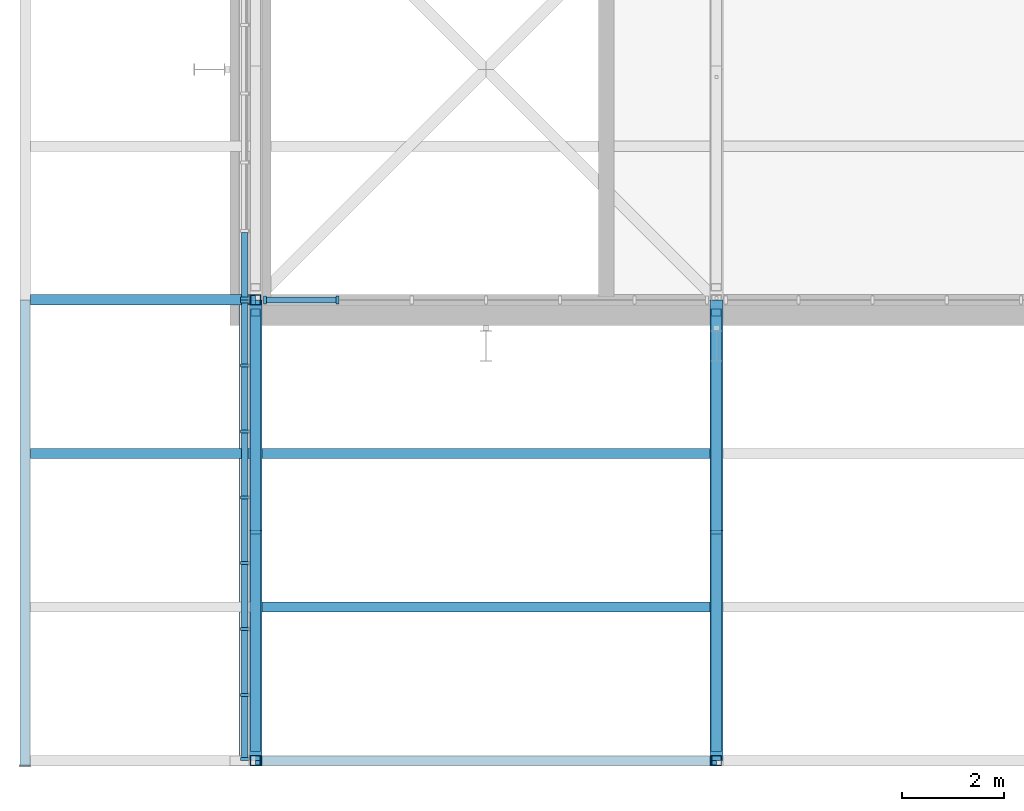
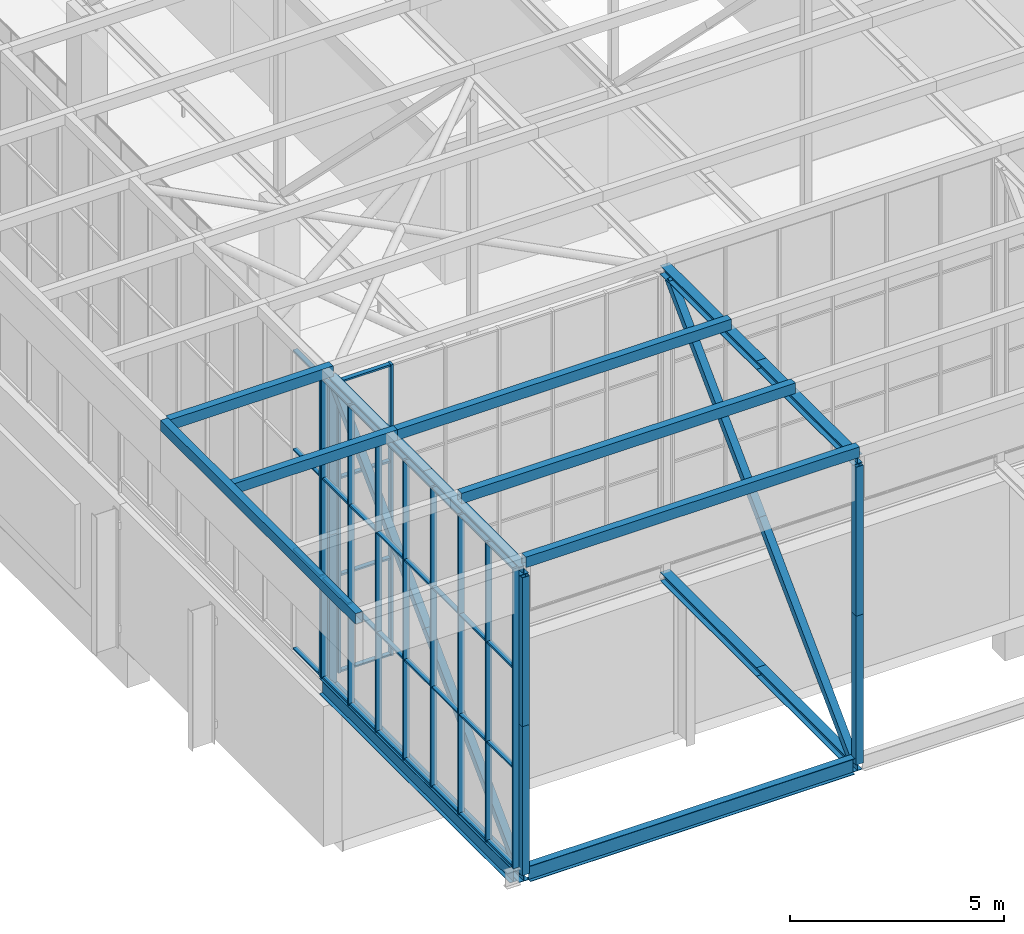
# One storey, part 8 of 646: 71 members, 2 beams, 3 elements without a shape of their own.
"""IFC4 building model written with IfcOpenShell, lengths in metres."""

from ifc_helpers import new_model, si_unit, direction, frame, origin, origin_2d, place, context, subcontext, project, spatial, rectangle, hollow_rectangle, i_section, extrude, material, material_profile, profile_set, type_object, element, aggregate, save


model = new_model("IFC4")

# Units and contexts
model_context = context("Model", 3, precision=1e-05, world=origin(), true_north=direction((0.0, 1.0)))
body_context = subcontext(model_context, "Body", "Model", "MODEL_VIEW")
ifc_project = project(units=[si_unit("LENGTHUNIT", "METRE"), si_unit("AREAUNIT", "SQUARE_METRE"), si_unit("VOLUMEUNIT", "CUBIC_METRE"), si_unit("PLANEANGLEUNIT", "RADIAN"), si_unit("MASSUNIT", "GRAM", prefix="KILO")], contexts=[model_context])

# Site, building, storey
site_placement = place(None, origin())
site = spatial("IfcSite", under=ifc_project, at=site_placement, CompositionType="ELEMENT")
building_placement = place(site_placement, origin())
building = spatial("IfcBuilding", under=site, at=building_placement, Name="Silverbay Arena", CompositionType="ELEMENT")
storey_placement = place(building_placement, frame((0.0, 0.0, 33.5)))
storey = spatial("IfcBuildingStorey", under=building, at=storey_placement, Name="L05", CompositionType="ELEMENT", Elevation=33.5)

# Curtain wall, members
ifc_material_1 = material(Name="Aluminium framed glazing", Category="aluminium")
curtain_wall_type_1 = type_object("IfcCurtainWallType", Name="Curtain wall clerestory 8693 x 8303", PredefinedType="NOTDEFINED", material=ifc_material_1)
curtain_wall_1_placement = place(storey_placement, origin())
curtain_wall_1 = element("IfcCurtainWall", 1, at=curtain_wall_1_placement, inside=storey, type_object=curtain_wall_type_1, Name="ROOF CLERESTORY CURTAIN WALL south bay 01", PredefinedType="NOTDEFINED")
ifc_material_2 = material(Name="Aluminium", Category="aluminium")
ifc_material_profile_1 = material_profile(ifc_material_2, rectangle(XDim=0.159912109375, YDim=0.06005859375, at=origin_2d()), Name="Mullion 60 x 160")
ifc_profile_set_1 = profile_set([ifc_material_profile_1], Name="Aluminium")
member_type_1 = type_object("IfcMemberType", Name="Mullion 60 x 160", PredefinedType="MULLION", material=ifc_profile_set_1)
member_1_placement = place(storey_placement, frame((54.18359375, 18.0, 4.4599609375), z_axis=(0.0, 0.0, 1.0), x_axis=(0.0, 1.0, 0.0)))
member_1 = element("IfcMember", 2, at=member_1_placement, type_object=member_type_1, Name="CW54 mullion 1", PredefinedType="MULLION", context=body_context, shape_type="SweptSolid", body=[
    extrude(rectangle(XDim=0.159912109375, YDim=0.06005859375, at=origin_2d()), origin(), (0.0, 0.0, 1.0), 8.303466796875),
])
member_2_placement = place(storey_placement, frame((55.6025390625, 18.0, 4.4599609375), z_axis=(0.0, 0.0, 1.0), x_axis=(0.0, 1.0, 0.0)))
member_2 = element("IfcMember", 3, at=member_2_placement, type_object=member_type_1, Name="CW54 mullion 2", PredefinedType="MULLION", context=body_context, shape_type="SweptSolid", body=[
    extrude(rectangle(XDim=0.159912109375, YDim=0.06005859375, at=origin_2d()), origin(), (0.0, 0.0, 1.0), 8.303466796875),
])

ifc_material_3 = material(Name="Aluminium framed glazing", Category="aluminium")
curtain_wall_type_2 = type_object("IfcCurtainWallType", Name="Curtain wall clerestory 9000 x 8547", PredefinedType="NOTDEFINED", material=ifc_material_3)
curtain_wall_2_placement = place(storey_placement, origin())
curtain_wall_2 = element("IfcCurtainWall", 4, at=curtain_wall_2_placement, inside=storey, type_object=curtain_wall_type_2, Name="ROOF GABLE CLERESTORY CURTAIN WALL west bay 01", PredefinedType="NOTDEFINED")
member_3_placement = place(storey_placement, frame((53.7900390625, 9.030029296875, 4.453369140625), z_axis=(0.0, 0.0, 1.0), x_axis=(-1.0, 0.0, 0.0)))
member_3 = element("IfcMember", 5, at=member_3_placement, type_object=member_type_1, Name="CW57 mullion 1", PredefinedType="MULLION", context=body_context, shape_type="SweptSolid", body=[
    extrude(rectangle(XDim=0.159912109375, YDim=0.06005859375, at=origin_2d()), origin(), (0.0, 0.0, 1.0), 8.546630859375),
])
member_4_placement = place(storey_placement, frame((53.7900390625, 10.28564453125, 4.453369140625), z_axis=(0.0, 0.0, 1.0), x_axis=(-1.0, 0.0, 0.0)))
member_4 = element("IfcMember", 6, at=member_4_placement, type_object=member_type_1, Name="CW57 mullion 2", PredefinedType="MULLION", context=body_context, shape_type="SweptSolid", body=[
    extrude(rectangle(XDim=0.159912109375, YDim=0.06005859375, at=origin_2d()), origin(), (0.0, 0.0, 1.0), 8.546630859375),
])
member_5_placement = place(storey_placement, frame((53.7900390625, 11.571533203125, 4.453369140625), z_axis=(0.0, 0.0, 1.0), x_axis=(-1.0, 0.0, 0.0)))
member_5 = element("IfcMember", 7, at=member_5_placement, type_object=member_type_1, Name="CW57 mullion 3", PredefinedType="MULLION", context=body_context, shape_type="SweptSolid", body=[
    extrude(rectangle(XDim=0.159912109375, YDim=0.06005859375, at=origin_2d()), origin(), (0.0, 0.0, 1.0), 8.546630859375),
])
member_6_placement = place(storey_placement, frame((53.7900390625, 12.857177734375, 4.453369140625), z_axis=(0.0, 0.0, 1.0), x_axis=(-1.0, 0.0, 0.0)))
member_6 = element("IfcMember", 8, at=member_6_placement, type_object=member_type_1, Name="CW57 mullion 4", PredefinedType="MULLION", context=body_context, shape_type="SweptSolid", body=[
    extrude(rectangle(XDim=0.159912109375, YDim=0.06005859375, at=origin_2d()), origin(), (0.0, 0.0, 1.0), 8.546630859375),
])
member_7_placement = place(storey_placement, frame((53.7900390625, 14.142822265625, 4.453369140625), z_axis=(0.0, 0.0, 1.0), x_axis=(-1.0, 0.0, 0.0)))
member_7 = element("IfcMember", 9, at=member_7_placement, type_object=member_type_1, Name="CW57 mullion 5", PredefinedType="MULLION", context=body_context, shape_type="SweptSolid", body=[
    extrude(rectangle(XDim=0.159912109375, YDim=0.06005859375, at=origin_2d()), origin(), (0.0, 0.0, 1.0), 8.546630859375),
])
member_8_placement = place(storey_placement, frame((53.7900390625, 15.428466796875, 4.453369140625), z_axis=(0.0, 0.0, 1.0), x_axis=(-1.0, 0.0, 0.0)))
member_8 = element("IfcMember", 10, at=member_8_placement, type_object=member_type_1, Name="CW57 mullion 6", PredefinedType="MULLION", context=body_context, shape_type="SweptSolid", body=[
    extrude(rectangle(XDim=0.159912109375, YDim=0.06005859375, at=origin_2d()), origin(), (0.0, 0.0, 1.0), 8.546630859375),
])
member_9_placement = place(storey_placement, frame((53.7900390625, 16.71435546875, 4.453369140625), z_axis=(0.0, 0.0, 1.0), x_axis=(-1.0, 0.0, 0.0)))
member_9 = element("IfcMember", 11, at=member_9_placement, type_object=member_type_1, Name="CW57 mullion 7", PredefinedType="MULLION", context=body_context, shape_type="SweptSolid", body=[
    extrude(rectangle(XDim=0.159912109375, YDim=0.06005859375, at=origin_2d()), origin(), (0.0, 0.0, 1.0), 8.546630859375),
])
member_10_placement = place(storey_placement, frame((53.7900390625, 17.969970703125, 4.453369140625), z_axis=(0.0, 0.0, 1.0), x_axis=(-1.0, 0.0, 0.0)))
member_10 = element("IfcMember", 12, at=member_10_placement, type_object=member_type_1, Name="CW57 mullion 8", PredefinedType="MULLION", context=body_context, shape_type="SweptSolid", body=[
    extrude(rectangle(XDim=0.159912109375, YDim=0.06005859375, at=origin_2d()), origin(), (0.0, 0.0, 1.0), 8.546630859375),
])

# Curtain wall, member
ifc_material_4 = material(Name="Aluminium framed glazing", Category="aluminium")
curtain_wall_type_3 = type_object("IfcCurtainWallType", Name="Curtain wall clerestory 9400 x 8547", PredefinedType="NOTDEFINED", material=ifc_material_4)
curtain_wall_3_placement = place(storey_placement, origin())
curtain_wall_3 = element("IfcCurtainWall", 13, at=curtain_wall_3_placement, inside=storey, type_object=curtain_wall_type_3, Name="ROOF GABLE CLERESTORY CURTAIN WALL west bay 02", PredefinedType="NOTDEFINED")
member_11_placement = place(storey_placement, frame((53.7900390625, 18.030029296875, 4.453369140625), z_axis=(0.0, 0.0, 1.0), x_axis=(-1.0, 0.0, 0.0)))
member_11 = element("IfcMember", 14, at=member_11_placement, type_object=member_type_1, Name="CW58 mullion 1", PredefinedType="MULLION", context=body_context, shape_type="SweptSolid", body=[
    extrude(rectangle(XDim=0.159912109375, YDim=0.06005859375, at=origin_2d()), origin(), (0.0, 0.0, 1.0), 8.546630859375),
])

# Members
ifc_material_5 = material(Name="Steel S355", Category="steel")
ifc_material_profile_2 = material_profile(ifc_material_5, hollow_rectangle(XDim=0.199951171875, YDim=0.300048828125, WallThickness=0.008056640625, at=origin_2d()), Name="RHS 300x200x8")
ifc_profile_set_2 = profile_set([ifc_material_profile_2], Name="Steel S355")
member_type_2 = type_object("IfcMemberType", Name="Purlin RHS 300x200x8", PredefinedType="PURLIN", material=ifc_profile_set_2)
for number, where, z_axis, x_axis, name in (
    (15, (54.0, 9.0, 13.14990234375), (1.0, 0.0, 0.0), (0.0, 1.0, 0.0), "ROOF PURLIN 7-8 line 01"),
    (16, (54.0, 12.0, 13.14990234375), (1.0, 0.0, 0.0), (0.0, 1.0, 0.0), "ROOF PURLIN 7-8 line 02"),
    (17, (54.0, 15.0, 13.14990234375), (1.0, 0.0, 0.0), (0.0, 1.0, 0.0), "ROOF PURLIN 7-8 line 03"),
):
    element("IfcMember", number, at=place(storey_placement, frame(where, z_axis=z_axis, x_axis=x_axis)), inside=storey, type_object=member_type_2, Name=name, PredefinedType="PURLIN", context=body_context, shape_type="SweptSolid", body=[
        extrude(hollow_rectangle(XDim=0.199951171875, YDim=0.300048828125, WallThickness=0.008056640625, at=origin_2d()), origin(), (0.0, 0.0, 1.0), 9.0),
    ])
for number, where, z_axis, x_axis, name in (
    (18, (49.60009765625, 15.0, 13.14990234375), (1.0, 0.0, 0.0), (0.0, 1.0, 0.0), "ROOF PURLIN west eave line 03"),
    (19, (49.60009765625, 18.0, 13.14990234375), (1.0, 0.0, 0.0), (0.0, 1.0, 0.0), "ROOF PURLIN west eave line 04"),
):
    element("IfcMember", number, at=place(storey_placement, frame(where, z_axis=z_axis, x_axis=x_axis)), inside=storey, type_object=member_type_2, Name=name, PredefinedType="PURLIN", context=body_context, shape_type="SweptSolid", body=[
        extrude(hollow_rectangle(XDim=0.199951171875, YDim=0.300048828125, WallThickness=0.008056640625, at=origin_2d()), origin(), (0.0, 0.0, 1.0), 4.39990234375),
    ])
member_12_placement = place(storey_placement, frame((49.5, 8.89990234375, 13.14990234375), z_axis=(0.0, 1.0, 0.0), x_axis=(-1.0, 0.0, 0.0)))
element("IfcMember", 20, at=member_12_placement, inside=storey, type_object=member_type_2, Name="ROOF PURLIN west eave edge 01", PredefinedType="PURLIN", context=body_context, shape_type="SweptSolid", body=[
    extrude(hollow_rectangle(XDim=0.199951171875, YDim=0.300048828125, WallThickness=0.008056640625, at=origin_2d()), origin(), (0.0, 0.0, 1.0), 9.10009765625),
])

# Beams
ifc_material_6 = material(Name="Steel S355", Category="steel")
ifc_material_profile_3 = material_profile(ifc_material_6, i_section(OverallWidth=0.18994140625, OverallDepth=0.453369140625, WebThickness=0.008544921875, FlangeThickness=0.0126953125, at=origin_2d()), Name="UB 457x191x67")
ifc_profile_set_3 = profile_set([ifc_material_profile_3], Name="Steel S355")
beam_type = type_object("IfcBeamType", Name="Ring beam UB 457x191x67", PredefinedType="BEAM", material=ifc_profile_set_3)
beam_1_placement = place(storey_placement, frame((54.127197265625, 9.0, 4.226806640625), z_axis=(1.0, 0.0, 0.0), x_axis=(0.0, 1.0, 0.0)))
element("IfcBeam", 21, at=beam_1_placement, inside=storey, type_object=beam_type, Name="RING BEAM south edge 7-8", PredefinedType="BEAM", context=body_context, shape_type="SweptSolid", body=[
    extrude(i_section(OverallWidth=0.18994140625, OverallDepth=0.453369140625, WebThickness=0.008544921875, FlangeThickness=0.0126953125, at=origin_2d()), origin(), (0.0, 0.0, 1.0), 8.74560546875),
])
beam_2_placement = place(storey_placement, frame((53.775146484375, 9.094970703125, 4.226806640625), z_axis=(0.0, 1.0, 0.0), x_axis=(-1.0, 0.0, 0.0)))
element("IfcBeam", 22, at=beam_2_placement, inside=storey, type_object=beam_type, Name="RING BEAM west gable panel 01", PredefinedType="BEAM", context=body_context, shape_type="SweptSolid", body=[
    extrude(i_section(OverallWidth=0.18994140625, OverallDepth=0.453369140625, WebThickness=0.008544921875, FlangeThickness=0.0126953125, at=origin_2d()), origin(), (0.0, 0.0, 1.0), 8.905029296875),
])

# Members
ifc_material_7 = material(Name="Steel S355", Category="steel")
ifc_material_profile_4 = material_profile(ifc_material_7, i_section(OverallWidth=0.254638671875, OverallDepth=0.254150390625, WebThickness=0.008544921875, FlangeThickness=0.01416015625, at=origin_2d()), Name="UC 254x254x73")
ifc_profile_set_4 = profile_set([ifc_material_profile_4], Name="Steel S355")
member_type_3 = type_object("IfcMemberType", Name="Short-span bottom chord UC 254x254x73", PredefinedType="CHORD", material=ifc_profile_set_4)
for number, where, z_axis, x_axis, name in (
    (23, (54.0, 9.0, 4.126953125), (0.0, 1.0, 0.0), (-1.0, 0.0, 0.0), "ROOF TRUSS 7 bottom chord 01a"),
    (24, (54.0, 13.5, 4.126953125), (0.0, 1.0, 0.0), (-1.0, 0.0, 0.0), "ROOF TRUSS 7 bottom chord 01b"),
    (25, (63.0, 9.0, 4.126953125), (0.0, 1.0, 0.0), (-1.0, 0.0, 0.0), "ROOF TRUSS 8 bottom chord 01a"),
    (26, (63.0, 13.5, 4.126953125), (0.0, 1.0, 0.0), (-1.0, 0.0, 0.0), "ROOF TRUSS 8 bottom chord 01b"),
):
    element("IfcMember", number, at=place(storey_placement, frame(where, z_axis=z_axis, x_axis=x_axis)), inside=storey, type_object=member_type_3, Name=name, PredefinedType="CHORD", context=body_context, shape_type="SweptSolid", body=[
        extrude(i_section(OverallWidth=0.254638671875, OverallDepth=0.254150390625, WebThickness=0.008544921875, FlangeThickness=0.01416015625, at=origin_2d()), origin(), (0.0, 0.0, 1.0), 4.5),
    ])
ifc_material_8 = material(Name="Steel S355", Category="steel")
ifc_material_profile_5 = material_profile(ifc_material_8, i_section(OverallWidth=0.254638671875, OverallDepth=0.254150390625, WebThickness=0.008544921875, FlangeThickness=0.01416015625, at=origin_2d()), Name="UC 254x254x73")
ifc_profile_set_5 = profile_set([ifc_material_profile_5], Name="Steel S355")
member_type_4 = type_object("IfcMemberType", Name="Short-span top chord UC 254x254x73", PredefinedType="CHORD", material=ifc_profile_set_5)
for number, where, z_axis, x_axis, name in (
    (27, (54.0, 9.0, 12.873046875), (0.0, 1.0, 0.0), (-1.0, 0.0, 0.0), "ROOF TRUSS 7 top chord 01a"),
    (28, (54.0, 13.5, 12.873046875), (0.0, 1.0, 0.0), (-1.0, 0.0, 0.0), "ROOF TRUSS 7 top chord 01b"),
    (29, (63.0, 9.0, 12.873046875), (0.0, 1.0, 0.0), (-1.0, 0.0, 0.0), "ROOF TRUSS 8 top chord 01a"),
    (30, (63.0, 13.5, 12.873046875), (0.0, 1.0, 0.0), (-1.0, 0.0, 0.0), "ROOF TRUSS 8 top chord 01b"),
):
    element("IfcMember", number, at=place(storey_placement, frame(where, z_axis=z_axis, x_axis=x_axis)), inside=storey, type_object=member_type_4, Name=name, PredefinedType="CHORD", context=body_context, shape_type="SweptSolid", body=[
        extrude(i_section(OverallWidth=0.254638671875, OverallDepth=0.254150390625, WebThickness=0.008544921875, FlangeThickness=0.01416015625, at=origin_2d()), origin(), (0.0, 0.0, 1.0), 4.5),
    ])
ifc_material_9 = material(Name="Steel S355", Category="steel")
ifc_material_profile_6 = material_profile(ifc_material_9, hollow_rectangle(XDim=0.199951171875, YDim=0.199951171875, WallThickness=0.008056640625, at=origin_2d()), Name="SHS 200x200x8")
ifc_profile_set_6 = profile_set([ifc_material_profile_6], Name="Steel S355")
member_type_5 = type_object("IfcMemberType", Name="Short-span truss diagonal SHS 200x200x8", PredefinedType="BRACE", material=ifc_profile_set_6)
for number, where, z_axis, x_axis, name in (
    (31, (54.0, 17.75439453125, 12.745849609375), (0.0, -0.70781724692, -0.706395600894), (1.0, 0.0, 0.0), "ROOF TRUSS 7 diagonal 01a"),
    (32, (54.0, 13.5, 8.5), (0.0, -0.70781724692, -0.706395600894), (1.0, 0.0, 0.0), "ROOF TRUSS 7 diagonal 01b"),
    (33, (63.0, 17.75439453125, 12.745849609375), (0.0, -0.70781724692, -0.706395600894), (1.0, 0.0, 0.0), "ROOF TRUSS 8 diagonal 01a"),
    (34, (63.0, 13.5, 8.5), (0.0, -0.70781724692, -0.706395600894), (1.0, 0.0, 0.0), "ROOF TRUSS 8 diagonal 01b"),
):
    element("IfcMember", number, at=place(storey_placement, frame(where, z_axis=z_axis, x_axis=x_axis)), inside=storey, type_object=member_type_5, Name=name, PredefinedType="BRACE", context=body_context, shape_type="SweptSolid", body=[
        extrude(hollow_rectangle(XDim=0.199951171875, YDim=0.199951171875, WallThickness=0.008056640625, at=origin_2d()), origin(), (0.0, 0.0, 1.0), 6.010498046875),
    ])
ifc_material_10 = material(Name="Steel S355", Category="steel")
ifc_material_profile_7 = material_profile(ifc_material_10, hollow_rectangle(XDim=0.199951171875, YDim=0.199951171875, WallThickness=0.008056640625, at=origin_2d()), Name="SHS 200x200x8")
ifc_profile_set_7 = profile_set([ifc_material_profile_7], Name="Steel S355")
member_type_6 = type_object("IfcMemberType", Name="Short-span truss vertical SHS 200x200x8", PredefinedType="STRUT", material=ifc_profile_set_7)
for number, where, z_axis, x_axis, name in (
    (35, (54.0, 9.0, 4.254150390625), (0.0, 0.0, 1.0), (1.0, 0.0, 0.0), "ROOF TRUSS 7 vertical 01a"),
    (36, (54.0, 9.0, 8.5), (0.0, 0.0, 1.0), (1.0, 0.0, 0.0), "ROOF TRUSS 7 vertical 01b"),
    (37, (54.0, 18.0, 4.254150390625), (0.0, 0.0, 1.0), (1.0, 0.0, 0.0), "ROOF TRUSS 7 vertical 02a"),
    (38, (54.0, 18.0, 8.5), (0.0, 0.0, 1.0), (1.0, 0.0, 0.0), "ROOF TRUSS 7 vertical 02b"),
    (39, (63.0, 9.0, 4.254150390625), (0.0, 0.0, 1.0), (1.0, 0.0, 0.0), "ROOF TRUSS 8 vertical 01a"),
    (40, (63.0, 9.0, 8.5), (0.0, 0.0, 1.0), (1.0, 0.0, 0.0), "ROOF TRUSS 8 vertical 01b"),
):
    element("IfcMember", number, at=place(storey_placement, frame(where, z_axis=z_axis, x_axis=x_axis)), inside=storey, type_object=member_type_6, Name=name, PredefinedType="STRUT", context=body_context, shape_type="SweptSolid", body=[
        extrude(hollow_rectangle(XDim=0.199951171875, YDim=0.199951171875, WallThickness=0.008056640625, at=origin_2d()), origin(), (0.0, 0.0, 1.0), 4.245849609375),
    ])

# Member
ifc_material_11 = material(Name="Aluminium", Category="aluminium")
ifc_material_profile_8 = material_profile(ifc_material_11, rectangle(XDim=0.1201171875, YDim=0.050048828125, at=origin_2d()), Name="Transom 50 x 120")
ifc_profile_set_8 = profile_set([ifc_material_profile_8], Name="Aluminium")
member_type_7 = type_object("IfcMemberType", Name="Transom 50 x 120", PredefinedType="USERDEFINED", material=ifc_profile_set_8)
member_13_placement = place(storey_placement, frame((54.213623046875, 18.0, 4.485107421875), z_axis=(1.0, 0.0, 0.0), x_axis=(0.0, 1.0, 0.0)))
member_13 = element("IfcMember", 41, at=member_13_placement, type_object=member_type_7, Name="CW54 transom 1.1", ObjectType="TRANSOM", PredefinedType="USERDEFINED", context=body_context, shape_type="SweptSolid", body=[
    extrude(rectangle(XDim=0.1201171875, YDim=0.050048828125, at=origin_2d()), origin(), (0.0, 0.0, 1.0), 1.35888671875),
])

member_14_placement = place(storey_placement, frame((54.213623046875, 18.0, 7.227783203125), z_axis=(1.0, 0.0, 0.0), x_axis=(0.0, 1.0, 0.0)))
member_14 = element("IfcMember", 42, at=member_14_placement, type_object=member_type_7, Name="CW54 transom 1.2", ObjectType="TRANSOM", PredefinedType="USERDEFINED", context=body_context, shape_type="SweptSolid", body=[
    extrude(rectangle(XDim=0.1201171875, YDim=0.050048828125, at=origin_2d()), origin(), (0.0, 0.0, 1.0), 1.35888671875),
])

member_15_placement = place(storey_placement, frame((54.213623046875, 18.0, 9.99560546875), z_axis=(1.0, 0.0, 0.0), x_axis=(0.0, 1.0, 0.0)))
member_15 = element("IfcMember", 43, at=member_15_placement, type_object=member_type_7, Name="CW54 transom 1.3", ObjectType="TRANSOM", PredefinedType="USERDEFINED", context=body_context, shape_type="SweptSolid", body=[
    extrude(rectangle(XDim=0.1201171875, YDim=0.050048828125, at=origin_2d()), origin(), (0.0, 0.0, 1.0), 1.35888671875),
])

member_16_placement = place(storey_placement, frame((54.213623046875, 18.0, 12.73828125), z_axis=(1.0, 0.0, 0.0), x_axis=(0.0, 1.0, 0.0)))
member_16 = element("IfcMember", 44, at=member_16_placement, type_object=member_type_7, Name="CW54 transom 1.4", ObjectType="TRANSOM", PredefinedType="USERDEFINED", context=body_context, shape_type="SweptSolid", body=[
    extrude(rectangle(XDim=0.1201171875, YDim=0.050048828125, at=origin_2d()), origin(), (0.0, 0.0, 1.0), 1.35888671875),
])

aggregate(curtain_wall_1, [member_1, member_2, member_13, member_14, member_15, member_16])

member_17_placement = place(storey_placement, frame((53.7900390625, 9.06005859375, 4.478515625), z_axis=(0.0, 1.0, 0.0), x_axis=(-1.0, 0.0, 0.0)))
member_17 = element("IfcMember", 45, at=member_17_placement, type_object=member_type_7, Name="CW57 transom 1.1", ObjectType="TRANSOM", PredefinedType="USERDEFINED", context=body_context, shape_type="SweptSolid", body=[
    extrude(rectangle(XDim=0.1201171875, YDim=0.050048828125, at=origin_2d()), origin(), (0.0, 0.0, 1.0), 1.195556640625),
])

member_18_placement = place(storey_placement, frame((53.7900390625, 9.06005859375, 7.30224609375), z_axis=(0.0, 1.0, 0.0), x_axis=(-1.0, 0.0, 0.0)))
member_18 = element("IfcMember", 46, at=member_18_placement, type_object=member_type_7, Name="CW57 transom 1.2", ObjectType="TRANSOM", PredefinedType="USERDEFINED", context=body_context, shape_type="SweptSolid", body=[
    extrude(rectangle(XDim=0.1201171875, YDim=0.050048828125, at=origin_2d()), origin(), (0.0, 0.0, 1.0), 1.195556640625),
])

member_19_placement = place(storey_placement, frame((53.7900390625, 9.06005859375, 10.151123046875), z_axis=(0.0, 1.0, 0.0), x_axis=(-1.0, 0.0, 0.0)))
member_19 = element("IfcMember", 47, at=member_19_placement, type_object=member_type_7, Name="CW57 transom 1.3", ObjectType="TRANSOM", PredefinedType="USERDEFINED", context=body_context, shape_type="SweptSolid", body=[
    extrude(rectangle(XDim=0.1201171875, YDim=0.050048828125, at=origin_2d()), origin(), (0.0, 0.0, 1.0), 1.195556640625),
])

member_20_placement = place(storey_placement, frame((53.7900390625, 9.06005859375, 12.97509765625), z_axis=(0.0, 1.0, 0.0), x_axis=(-1.0, 0.0, 0.0)))
member_20 = element("IfcMember", 48, at=member_20_placement, type_object=member_type_7, Name="CW57 transom 1.4", ObjectType="TRANSOM", PredefinedType="USERDEFINED", context=body_context, shape_type="SweptSolid", body=[
    extrude(rectangle(XDim=0.1201171875, YDim=0.050048828125, at=origin_2d()), origin(), (0.0, 0.0, 1.0), 1.195556640625),
])

member_21_placement = place(storey_placement, frame((53.7900390625, 10.315673828125, 4.478515625), z_axis=(0.0, 1.0, 0.0), x_axis=(-1.0, 0.0, 0.0)))
member_21 = element("IfcMember", 49, at=member_21_placement, type_object=member_type_7, Name="CW57 transom 2.1", ObjectType="TRANSOM", PredefinedType="USERDEFINED", context=body_context, shape_type="SweptSolid", body=[
    extrude(rectangle(XDim=0.1201171875, YDim=0.050048828125, at=origin_2d()), origin(), (0.0, 0.0, 1.0), 1.225830078125),
])

member_22_placement = place(storey_placement, frame((53.7900390625, 10.315673828125, 7.30224609375), z_axis=(0.0, 1.0, 0.0), x_axis=(-1.0, 0.0, 0.0)))
member_22 = element("IfcMember", 50, at=member_22_placement, type_object=member_type_7, Name="CW57 transom 2.2", ObjectType="TRANSOM", PredefinedType="USERDEFINED", context=body_context, shape_type="SweptSolid", body=[
    extrude(rectangle(XDim=0.1201171875, YDim=0.050048828125, at=origin_2d()), origin(), (0.0, 0.0, 1.0), 1.225830078125),
])

member_23_placement = place(storey_placement, frame((53.7900390625, 10.315673828125, 10.151123046875), z_axis=(0.0, 1.0, 0.0), x_axis=(-1.0, 0.0, 0.0)))
member_23 = element("IfcMember", 51, at=member_23_placement, type_object=member_type_7, Name="CW57 transom 2.3", ObjectType="TRANSOM", PredefinedType="USERDEFINED", context=body_context, shape_type="SweptSolid", body=[
    extrude(rectangle(XDim=0.1201171875, YDim=0.050048828125, at=origin_2d()), origin(), (0.0, 0.0, 1.0), 1.225830078125),
])

member_24_placement = place(storey_placement, frame((53.7900390625, 10.315673828125, 12.97509765625), z_axis=(0.0, 1.0, 0.0), x_axis=(-1.0, 0.0, 0.0)))
member_24 = element("IfcMember", 52, at=member_24_placement, type_object=member_type_7, Name="CW57 transom 2.4", ObjectType="TRANSOM", PredefinedType="USERDEFINED", context=body_context, shape_type="SweptSolid", body=[
    extrude(rectangle(XDim=0.1201171875, YDim=0.050048828125, at=origin_2d()), origin(), (0.0, 0.0, 1.0), 1.225830078125),
])

member_25_placement = place(storey_placement, frame((53.7900390625, 11.601318359375, 4.478515625), z_axis=(0.0, 1.0, 0.0), x_axis=(-1.0, 0.0, 0.0)))
member_25 = element("IfcMember", 53, at=member_25_placement, type_object=member_type_7, Name="CW57 transom 3.1", ObjectType="TRANSOM", PredefinedType="USERDEFINED", context=body_context, shape_type="SweptSolid", body=[
    extrude(rectangle(XDim=0.1201171875, YDim=0.050048828125, at=origin_2d()), origin(), (0.0, 0.0, 1.0), 1.225830078125),
])

member_26_placement = place(storey_placement, frame((53.7900390625, 11.601318359375, 7.30224609375), z_axis=(0.0, 1.0, 0.0), x_axis=(-1.0, 0.0, 0.0)))
member_26 = element("IfcMember", 54, at=member_26_placement, type_object=member_type_7, Name="CW57 transom 3.2", ObjectType="TRANSOM", PredefinedType="USERDEFINED", context=body_context, shape_type="SweptSolid", body=[
    extrude(rectangle(XDim=0.1201171875, YDim=0.050048828125, at=origin_2d()), origin(), (0.0, 0.0, 1.0), 1.225830078125),
])

member_27_placement = place(storey_placement, frame((53.7900390625, 11.601318359375, 10.151123046875), z_axis=(0.0, 1.0, 0.0), x_axis=(-1.0, 0.0, 0.0)))
member_27 = element("IfcMember", 55, at=member_27_placement, type_object=member_type_7, Name="CW57 transom 3.3", ObjectType="TRANSOM", PredefinedType="USERDEFINED", context=body_context, shape_type="SweptSolid", body=[
    extrude(rectangle(XDim=0.1201171875, YDim=0.050048828125, at=origin_2d()), origin(), (0.0, 0.0, 1.0), 1.225830078125),
])

member_28_placement = place(storey_placement, frame((53.7900390625, 11.601318359375, 12.97509765625), z_axis=(0.0, 1.0, 0.0), x_axis=(-1.0, 0.0, 0.0)))
member_28 = element("IfcMember", 56, at=member_28_placement, type_object=member_type_7, Name="CW57 transom 3.4", ObjectType="TRANSOM", PredefinedType="USERDEFINED", context=body_context, shape_type="SweptSolid", body=[
    extrude(rectangle(XDim=0.1201171875, YDim=0.050048828125, at=origin_2d()), origin(), (0.0, 0.0, 1.0), 1.225830078125),
])

member_29_placement = place(storey_placement, frame((53.7900390625, 12.88720703125, 4.478515625), z_axis=(0.0, 1.0, 0.0), x_axis=(-1.0, 0.0, 0.0)))
member_29 = element("IfcMember", 57, at=member_29_placement, type_object=member_type_7, Name="CW57 transom 4.1", ObjectType="TRANSOM", PredefinedType="USERDEFINED", context=body_context, shape_type="SweptSolid", body=[
    extrude(rectangle(XDim=0.1201171875, YDim=0.050048828125, at=origin_2d()), origin(), (0.0, 0.0, 1.0), 1.2255859375),
])

member_30_placement = place(storey_placement, frame((53.7900390625, 12.88720703125, 7.30224609375), z_axis=(0.0, 1.0, 0.0), x_axis=(-1.0, 0.0, 0.0)))
member_30 = element("IfcMember", 58, at=member_30_placement, type_object=member_type_7, Name="CW57 transom 4.2", ObjectType="TRANSOM", PredefinedType="USERDEFINED", context=body_context, shape_type="SweptSolid", body=[
    extrude(rectangle(XDim=0.1201171875, YDim=0.050048828125, at=origin_2d()), origin(), (0.0, 0.0, 1.0), 1.2255859375),
])

member_31_placement = place(storey_placement, frame((53.7900390625, 12.88720703125, 10.151123046875), z_axis=(0.0, 1.0, 0.0), x_axis=(-1.0, 0.0, 0.0)))
member_31 = element("IfcMember", 59, at=member_31_placement, type_object=member_type_7, Name="CW57 transom 4.3", ObjectType="TRANSOM", PredefinedType="USERDEFINED", context=body_context, shape_type="SweptSolid", body=[
    extrude(rectangle(XDim=0.1201171875, YDim=0.050048828125, at=origin_2d()), origin(), (0.0, 0.0, 1.0), 1.2255859375),
])

member_32_placement = place(storey_placement, frame((53.7900390625, 12.88720703125, 12.97509765625), z_axis=(0.0, 1.0, 0.0), x_axis=(-1.0, 0.0, 0.0)))
member_32 = element("IfcMember", 60, at=member_32_placement, type_object=member_type_7, Name="CW57 transom 4.4", ObjectType="TRANSOM", PredefinedType="USERDEFINED", context=body_context, shape_type="SweptSolid", body=[
    extrude(rectangle(XDim=0.1201171875, YDim=0.050048828125, at=origin_2d()), origin(), (0.0, 0.0, 1.0), 1.2255859375),
])

member_33_placement = place(storey_placement, frame((53.7900390625, 14.1728515625, 4.478515625), z_axis=(0.0, 1.0, 0.0), x_axis=(-1.0, 0.0, 0.0)))
member_33 = element("IfcMember", 61, at=member_33_placement, type_object=member_type_7, Name="CW57 transom 5.1", ObjectType="TRANSOM", PredefinedType="USERDEFINED", context=body_context, shape_type="SweptSolid", body=[
    extrude(rectangle(XDim=0.1201171875, YDim=0.050048828125, at=origin_2d()), origin(), (0.0, 0.0, 1.0), 1.225830078125),
])

member_34_placement = place(storey_placement, frame((53.7900390625, 14.1728515625, 7.30224609375), z_axis=(0.0, 1.0, 0.0), x_axis=(-1.0, 0.0, 0.0)))
member_34 = element("IfcMember", 62, at=member_34_placement, type_object=member_type_7, Name="CW57 transom 5.2", ObjectType="TRANSOM", PredefinedType="USERDEFINED", context=body_context, shape_type="SweptSolid", body=[
    extrude(rectangle(XDim=0.1201171875, YDim=0.050048828125, at=origin_2d()), origin(), (0.0, 0.0, 1.0), 1.225830078125),
])

member_35_placement = place(storey_placement, frame((53.7900390625, 14.1728515625, 10.151123046875), z_axis=(0.0, 1.0, 0.0), x_axis=(-1.0, 0.0, 0.0)))
member_35 = element("IfcMember", 63, at=member_35_placement, type_object=member_type_7, Name="CW57 transom 5.3", ObjectType="TRANSOM", PredefinedType="USERDEFINED", context=body_context, shape_type="SweptSolid", body=[
    extrude(rectangle(XDim=0.1201171875, YDim=0.050048828125, at=origin_2d()), origin(), (0.0, 0.0, 1.0), 1.225830078125),
])

member_36_placement = place(storey_placement, frame((53.7900390625, 14.1728515625, 12.97509765625), z_axis=(0.0, 1.0, 0.0), x_axis=(-1.0, 0.0, 0.0)))
member_36 = element("IfcMember", 64, at=member_36_placement, type_object=member_type_7, Name="CW57 transom 5.4", ObjectType="TRANSOM", PredefinedType="USERDEFINED", context=body_context, shape_type="SweptSolid", body=[
    extrude(rectangle(XDim=0.1201171875, YDim=0.050048828125, at=origin_2d()), origin(), (0.0, 0.0, 1.0), 1.225830078125),
])

member_37_placement = place(storey_placement, frame((53.7900390625, 15.45849609375, 4.478515625), z_axis=(0.0, 1.0, 0.0), x_axis=(-1.0, 0.0, 0.0)))
member_37 = element("IfcMember", 65, at=member_37_placement, type_object=member_type_7, Name="CW57 transom 6.1", ObjectType="TRANSOM", PredefinedType="USERDEFINED", context=body_context, shape_type="SweptSolid", body=[
    extrude(rectangle(XDim=0.1201171875, YDim=0.050048828125, at=origin_2d()), origin(), (0.0, 0.0, 1.0), 1.225830078125),
])

member_38_placement = place(storey_placement, frame((53.7900390625, 15.45849609375, 7.30224609375), z_axis=(0.0, 1.0, 0.0), x_axis=(-1.0, 0.0, 0.0)))
member_38 = element("IfcMember", 66, at=member_38_placement, type_object=member_type_7, Name="CW57 transom 6.2", ObjectType="TRANSOM", PredefinedType="USERDEFINED", context=body_context, shape_type="SweptSolid", body=[
    extrude(rectangle(XDim=0.1201171875, YDim=0.050048828125, at=origin_2d()), origin(), (0.0, 0.0, 1.0), 1.225830078125),
])

member_39_placement = place(storey_placement, frame((53.7900390625, 15.45849609375, 10.151123046875), z_axis=(0.0, 1.0, 0.0), x_axis=(-1.0, 0.0, 0.0)))
member_39 = element("IfcMember", 67, at=member_39_placement, type_object=member_type_7, Name="CW57 transom 6.3", ObjectType="TRANSOM", PredefinedType="USERDEFINED", context=body_context, shape_type="SweptSolid", body=[
    extrude(rectangle(XDim=0.1201171875, YDim=0.050048828125, at=origin_2d()), origin(), (0.0, 0.0, 1.0), 1.225830078125),
])

member_40_placement = place(storey_placement, frame((53.7900390625, 15.45849609375, 12.97509765625), z_axis=(0.0, 1.0, 0.0), x_axis=(-1.0, 0.0, 0.0)))
member_40 = element("IfcMember", 68, at=member_40_placement, type_object=member_type_7, Name="CW57 transom 6.4", ObjectType="TRANSOM", PredefinedType="USERDEFINED", context=body_context, shape_type="SweptSolid", body=[
    extrude(rectangle(XDim=0.1201171875, YDim=0.050048828125, at=origin_2d()), origin(), (0.0, 0.0, 1.0), 1.225830078125),
])

member_41_placement = place(storey_placement, frame((53.7900390625, 16.744384765625, 4.478515625), z_axis=(0.0, 1.0, 0.0), x_axis=(-1.0, 0.0, 0.0)))
member_41 = element("IfcMember", 69, at=member_41_placement, type_object=member_type_7, Name="CW57 transom 7.1", ObjectType="TRANSOM", PredefinedType="USERDEFINED", context=body_context, shape_type="SweptSolid", body=[
    extrude(rectangle(XDim=0.1201171875, YDim=0.050048828125, at=origin_2d()), origin(), (0.0, 0.0, 1.0), 1.195556640625),
])

member_42_placement = place(storey_placement, frame((53.7900390625, 16.744384765625, 7.30224609375), z_axis=(0.0, 1.0, 0.0), x_axis=(-1.0, 0.0, 0.0)))
member_42 = element("IfcMember", 70, at=member_42_placement, type_object=member_type_7, Name="CW57 transom 7.2", ObjectType="TRANSOM", PredefinedType="USERDEFINED", context=body_context, shape_type="SweptSolid", body=[
    extrude(rectangle(XDim=0.1201171875, YDim=0.050048828125, at=origin_2d()), origin(), (0.0, 0.0, 1.0), 1.195556640625),
])

member_43_placement = place(storey_placement, frame((53.7900390625, 16.744384765625, 10.151123046875), z_axis=(0.0, 1.0, 0.0), x_axis=(-1.0, 0.0, 0.0)))
member_43 = element("IfcMember", 71, at=member_43_placement, type_object=member_type_7, Name="CW57 transom 7.3", ObjectType="TRANSOM", PredefinedType="USERDEFINED", context=body_context, shape_type="SweptSolid", body=[
    extrude(rectangle(XDim=0.1201171875, YDim=0.050048828125, at=origin_2d()), origin(), (0.0, 0.0, 1.0), 1.195556640625),
])

member_44_placement = place(storey_placement, frame((53.7900390625, 16.744384765625, 12.97509765625), z_axis=(0.0, 1.0, 0.0), x_axis=(-1.0, 0.0, 0.0)))
member_44 = element("IfcMember", 72, at=member_44_placement, type_object=member_type_7, Name="CW57 transom 7.4", ObjectType="TRANSOM", PredefinedType="USERDEFINED", context=body_context, shape_type="SweptSolid", body=[
    extrude(rectangle(XDim=0.1201171875, YDim=0.050048828125, at=origin_2d()), origin(), (0.0, 0.0, 1.0), 1.195556640625),
])

aggregate(curtain_wall_2, [member_3, member_4, member_5, member_6, member_7, member_8, member_9, member_10, member_17, member_18, member_19, member_20, member_21, member_22, member_23, member_24, member_25, member_26, member_27, member_28, member_29, member_30, member_31, member_32, member_33, member_34, member_35, member_36, member_37, member_38, member_39, member_40, member_41, member_42, member_43, member_44])

member_45_placement = place(storey_placement, frame((53.7900390625, 18.06005859375, 4.478515625), z_axis=(0.0, 1.0, 0.0), x_axis=(-1.0, 0.0, 0.0)))
member_45 = element("IfcMember", 73, at=member_45_placement, type_object=member_type_7, Name="CW58 transom 1.1", ObjectType="TRANSOM", PredefinedType="USERDEFINED", context=body_context, shape_type="SweptSolid", body=[
    extrude(rectangle(XDim=0.1201171875, YDim=0.050048828125, at=origin_2d()), origin(), (0.0, 0.0, 1.0), 1.252685546875),
])

member_46_placement = place(storey_placement, frame((53.7900390625, 18.06005859375, 7.30224609375), z_axis=(0.0, 1.0, 0.0), x_axis=(-1.0, 0.0, 0.0)))
member_46 = element("IfcMember", 74, at=member_46_placement, type_object=member_type_7, Name="CW58 transom 1.2", ObjectType="TRANSOM", PredefinedType="USERDEFINED", context=body_context, shape_type="SweptSolid", body=[
    extrude(rectangle(XDim=0.1201171875, YDim=0.050048828125, at=origin_2d()), origin(), (0.0, 0.0, 1.0), 1.252685546875),
])

member_47_placement = place(storey_placement, frame((53.7900390625, 18.06005859375, 10.151123046875), z_axis=(0.0, 1.0, 0.0), x_axis=(-1.0, 0.0, 0.0)))
member_47 = element("IfcMember", 75, at=member_47_placement, type_object=member_type_7, Name="CW58 transom 1.3", ObjectType="TRANSOM", PredefinedType="USERDEFINED", context=body_context, shape_type="SweptSolid", body=[
    extrude(rectangle(XDim=0.1201171875, YDim=0.050048828125, at=origin_2d()), origin(), (0.0, 0.0, 1.0), 1.252685546875),
])

member_48_placement = place(storey_placement, frame((53.7900390625, 18.06005859375, 12.97509765625), z_axis=(0.0, 1.0, 0.0), x_axis=(-1.0, 0.0, 0.0)))
member_48 = element("IfcMember", 76, at=member_48_placement, type_object=member_type_7, Name="CW58 transom 1.4", ObjectType="TRANSOM", PredefinedType="USERDEFINED", context=body_context, shape_type="SweptSolid", body=[
    extrude(rectangle(XDim=0.1201171875, YDim=0.050048828125, at=origin_2d()), origin(), (0.0, 0.0, 1.0), 1.252685546875),
])

aggregate(curtain_wall_3, [member_11, member_45, member_46, member_47, member_48])

save(model, "model.ifc")
